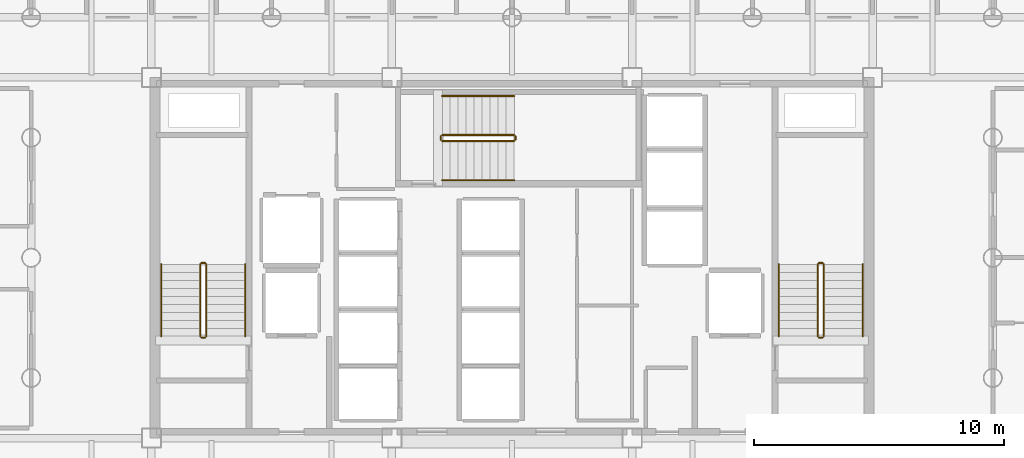
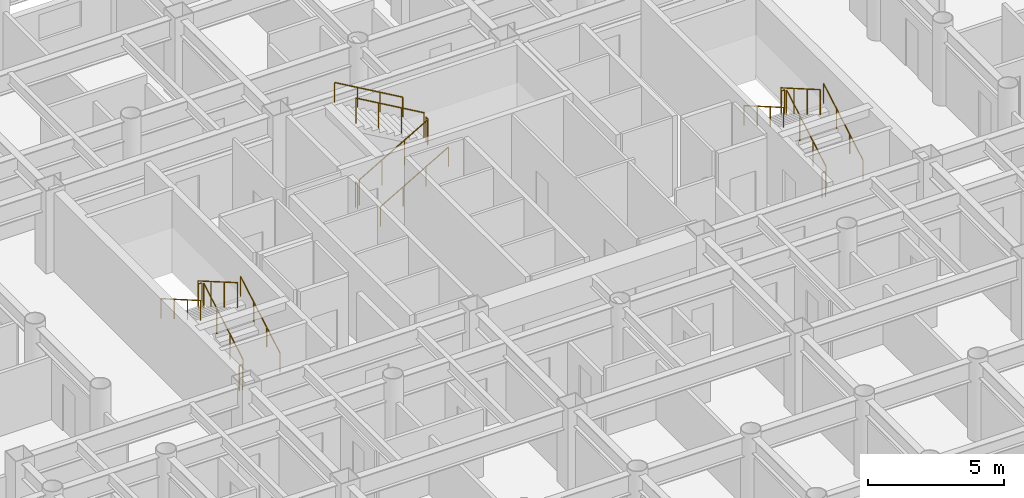
# One storey, part 22 of 22: 18 railings.
"""IFC4 building model written with IfcOpenShell, lengths in metres."""

from ifc_helpers import new_model, si_unit, direction, frame, origin, origin_2d, place, context, subcontext, project, spatial, circle, extrude, material, layer, layer_set, type_object, element, save


model = new_model("IFC4")

# Units and contexts
model_context = context("Model", 3, precision=1e-05, world=origin(), true_north=direction((0.0, 1.0)))
body_context = subcontext(model_context, "Body", "Model", "MODEL_VIEW")
ifc_project = project(units=[si_unit("LENGTHUNIT", "METRE"), si_unit("AREAUNIT", "SQUARE_METRE"), si_unit("VOLUMEUNIT", "CUBIC_METRE"), si_unit("PLANEANGLEUNIT", "RADIAN"), si_unit("MASSUNIT", "GRAM", prefix="KILO")], contexts=[model_context])

# Site, building, storey
site_placement = place(None, origin())
site = spatial("IfcSite", under=ifc_project, at=site_placement, CompositionType="ELEMENT")
building_placement = place(site_placement, origin())
building = spatial("IfcBuilding", under=site, at=building_placement, Name="Kallvorn Hotel Tower", CompositionType="ELEMENT")
storey_placement = place(building_placement, frame((0.0, 0.0, 33.699951171875)))
storey = spatial("IfcBuildingStorey", under=building, at=storey_placement, Name="L06", CompositionType="ELEMENT", Elevation=33.699951171875)

# Railings
ifc_material_1 = material(Name="Brushed stainless-steel tubular railing", Category="steel")
ifc_layer_1 = layer(ifc_material_1, 0.050048828125)
ifc_layer_set_1 = layer_set([ifc_layer_1], Name="RL_STAIR_GUARD")
railing_type_1 = type_object("IfcRailingType", Name="RL_STAIR_GUARD", PredefinedType="GUARDRAIL", material=ifc_layer_set_1)
railing_1_placement = place(storey_placement, frame((-12.2099609375, -3.139892578125, 0.18505859375)))
element("IfcRailing", 1, at=railing_1_placement, inside=storey, type_object=railing_type_1, Name="L06 ST1 stair guard 1", PredefinedType="GUARDRAIL", context=body_context, shape_type="SweptSolid", body=[
    extrude(circle(Radius=0.02392578125, at=origin_2d()), frame((0.0, 0.0, 1.1259765625), z_axis=(0.0, 0.865720918037, 0.500527014328), x_axis=(-1.0, 0.0, 0.0)), (0.0, 0.0, 1.0), 3.32666015625),
    extrude(circle(Radius=0.02099609375, at=origin_2d()), origin(), (0.0, 0.0, 1.0), 1.101806640625),
    extrude(circle(Radius=0.02099609375, at=origin_2d()), frame((0.0, 0.9599609375, 0.554931640625)), (0.0, 0.0, 1.0), 1.101806640625),
    extrude(circle(Radius=0.02099609375, at=origin_2d()), frame((0.0, 1.919921875, 1.110107421875)), (0.0, 0.0, 1.0), 1.101806640625),
    extrude(circle(Radius=0.02099609375, at=origin_2d()), frame((0.0, 2.8798828125, 1.6650390625)), (0.0, 0.0, 1.0), 1.101806640625),
])
railing_2_placement = place(storey_placement, frame((-12.260009765625, -0.2099609375, 1.85009765625)))
element("IfcRailing", 2, at=railing_2_placement, inside=storey, type_object=railing_type_1, Name="L06 ST1 stair guard 2", PredefinedType="GUARDRAIL", context=body_context, shape_type="SweptSolid", body=[
    extrude(circle(Radius=0.02392578125, at=origin_2d()), frame((0.0, 0.0, 1.1259765625), z_axis=(-1.0, 0.0, 0.0), x_axis=(0.0, -1.0, 0.0)), (0.0, 0.0, 1.0), 0.139892578125),
    extrude(circle(Radius=0.02099609375, at=origin_2d()), origin(), (0.0, 0.0, 1.0), 1.101806640625),
    extrude(circle(Radius=0.02099609375, at=origin_2d()), frame((-0.139892578125, 0.0, 0.0)), (0.0, 0.0, 1.0), 1.101806640625),
])
railing_3_placement = place(storey_placement, frame((-12.449951171875, -0.260009765625, 2.03515625)))
element("IfcRailing", 3, at=railing_3_placement, inside=storey, type_object=railing_type_1, Name="L06 ST1 stair guard 3", PredefinedType="GUARDRAIL", context=body_context, shape_type="SweptSolid", body=[
    extrude(circle(Radius=0.02392578125, at=origin_2d()), frame((0.0, 0.0, 1.1259765625), z_axis=(0.0, -0.86575271903, 0.500472006703), x_axis=(1.0, 0.0, 0.0)), (0.0, 0.0, 1.0), 3.326416015625),
    extrude(circle(Radius=0.02099609375, at=origin_2d()), origin(), (0.0, 0.0, 1.0), 1.101806640625),
    extrude(circle(Radius=0.02099609375, at=origin_2d()), frame((0.0, -0.9599609375, 0.554931640625)), (0.0, 0.0, 1.0), 1.101806640625),
    extrude(circle(Radius=0.02099609375, at=origin_2d()), frame((0.0, -1.919921875, 1.10986328125)), (0.0, 0.0, 1.0), 1.101806640625),
    extrude(circle(Radius=0.02099609375, at=origin_2d()), frame((0.0, -2.8798828125, 1.664794921875)), (0.0, 0.0, 1.0), 1.101806640625),
])
railing_4_placement = place(storey_placement, frame((-12.260009765625, -3.18994140625, 0.0)))
element("IfcRailing", 4, at=railing_4_placement, inside=storey, type_object=railing_type_1, Name="L06 ST1 stair guard 4", PredefinedType="GUARDRAIL", context=body_context, shape_type="SweptSolid", body=[
    extrude(circle(Radius=0.02392578125, at=origin_2d()), frame((0.0, 0.0, 1.1259765625), z_axis=(-1.0, 0.0, 0.0), x_axis=(0.0, -1.0, 0.0)), (0.0, 0.0, 1.0), 0.139892578125),
    extrude(circle(Radius=0.02099609375, at=origin_2d()), origin(), (0.0, 0.0, 1.0), 1.101806640625),
    extrude(circle(Radius=0.02099609375, at=origin_2d()), frame((-0.139892578125, 0.0, 0.0)), (0.0, 0.0, 1.0), 1.101806640625),
])
railing_5_placement = place(storey_placement, frame((12.449951171875, -3.139892578125, 0.18505859375)))
element("IfcRailing", 5, at=railing_5_placement, inside=storey, type_object=railing_type_1, Name="L06 ST2 stair guard 1", PredefinedType="GUARDRAIL", context=body_context, shape_type="SweptSolid", body=[
    extrude(circle(Radius=0.02392578125, at=origin_2d()), frame((0.0, 0.0, 1.1259765625), z_axis=(0.0, 0.865720918037, 0.500527014328), x_axis=(-1.0, 0.0, 0.0)), (0.0, 0.0, 1.0), 3.32666015625),
    extrude(circle(Radius=0.02099609375, at=origin_2d()), origin(), (0.0, 0.0, 1.0), 1.101806640625),
    extrude(circle(Radius=0.02099609375, at=origin_2d()), frame((0.0, 0.9599609375, 0.554931640625)), (0.0, 0.0, 1.0), 1.101806640625),
    extrude(circle(Radius=0.02099609375, at=origin_2d()), frame((0.0, 1.919921875, 1.110107421875)), (0.0, 0.0, 1.0), 1.101806640625),
    extrude(circle(Radius=0.02099609375, at=origin_2d()), frame((0.0, 2.8798828125, 1.6650390625)), (0.0, 0.0, 1.0), 1.101806640625),
])
railing_6_placement = place(storey_placement, frame((12.39990234375, -0.2099609375, 1.85009765625)))
element("IfcRailing", 6, at=railing_6_placement, inside=storey, type_object=railing_type_1, Name="L06 ST2 stair guard 2", PredefinedType="GUARDRAIL", context=body_context, shape_type="SweptSolid", body=[
    extrude(circle(Radius=0.02392578125, at=origin_2d()), frame((0.0, 0.0, 1.1259765625), z_axis=(-1.0, 0.0, 0.0), x_axis=(0.0, -1.0, 0.0)), (0.0, 0.0, 1.0), 0.139892578125),
    extrude(circle(Radius=0.02099609375, at=origin_2d()), origin(), (0.0, 0.0, 1.0), 1.101806640625),
    extrude(circle(Radius=0.02099609375, at=origin_2d()), frame((-0.139892578125, 0.0, 0.0)), (0.0, 0.0, 1.0), 1.101806640625),
])
railing_7_placement = place(storey_placement, frame((12.2099609375, -0.260009765625, 2.03515625)))
element("IfcRailing", 7, at=railing_7_placement, inside=storey, type_object=railing_type_1, Name="L06 ST2 stair guard 3", PredefinedType="GUARDRAIL", context=body_context, shape_type="SweptSolid", body=[
    extrude(circle(Radius=0.02392578125, at=origin_2d()), frame((0.0, 0.0, 1.1259765625), z_axis=(0.0, -0.86575271903, 0.500472006703), x_axis=(1.0, 0.0, 0.0)), (0.0, 0.0, 1.0), 3.326416015625),
    extrude(circle(Radius=0.02099609375, at=origin_2d()), origin(), (0.0, 0.0, 1.0), 1.101806640625),
    extrude(circle(Radius=0.02099609375, at=origin_2d()), frame((0.0, -0.9599609375, 0.554931640625)), (0.0, 0.0, 1.0), 1.101806640625),
    extrude(circle(Radius=0.02099609375, at=origin_2d()), frame((0.0, -1.919921875, 1.10986328125)), (0.0, 0.0, 1.0), 1.101806640625),
    extrude(circle(Radius=0.02099609375, at=origin_2d()), frame((0.0, -2.8798828125, 1.664794921875)), (0.0, 0.0, 1.0), 1.101806640625),
])
railing_8_placement = place(storey_placement, frame((12.39990234375, -3.18994140625, 0.0)))
element("IfcRailing", 8, at=railing_8_placement, inside=storey, type_object=railing_type_1, Name="L06 ST2 stair guard 4", PredefinedType="GUARDRAIL", context=body_context, shape_type="SweptSolid", body=[
    extrude(circle(Radius=0.02392578125, at=origin_2d()), frame((0.0, 0.0, 1.1259765625), z_axis=(-1.0, 0.0, 0.0), x_axis=(0.0, -1.0, 0.0)), (0.0, 0.0, 1.0), 0.139892578125),
    extrude(circle(Radius=0.02099609375, at=origin_2d()), origin(), (0.0, 0.0, 1.0), 1.101806640625),
    extrude(circle(Radius=0.02099609375, at=origin_2d()), frame((-0.139892578125, 0.0, 0.0)), (0.0, 0.0, 1.0), 1.101806640625),
])
railing_9_placement = place(storey_placement, frame((-2.7900390625, 4.659912109375, 0.18505859375)))
element("IfcRailing", 9, at=railing_9_placement, inside=storey, type_object=railing_type_1, Name="L06 ST3 stair guard 1", PredefinedType="GUARDRAIL", context=body_context, shape_type="SweptSolid", body=[
    extrude(circle(Radius=0.02392578125, at=origin_2d()), frame((0.0, 0.0, 1.1259765625), z_axis=(0.865739302748, 0.0, 0.50049521444), x_axis=(0.0, 1.0, 0.0)), (0.0, 0.0, 1.0), 3.326904296875),
    extrude(circle(Radius=0.02099609375, at=origin_2d()), origin(), (0.0, 0.0, 1.0), 1.101806640625),
    extrude(circle(Radius=0.02099609375, at=origin_2d()), frame((0.9599609375, 0.0, 0.554931640625)), (0.0, 0.0, 1.0), 1.101806640625),
    extrude(circle(Radius=0.02099609375, at=origin_2d()), frame((1.920166015625, 0.0, 1.110107421875)), (0.0, 0.0, 1.0), 1.101806640625),
    extrude(circle(Radius=0.02099609375, at=origin_2d()), frame((2.880126953125, 0.0, 1.6650390625)), (0.0, 0.0, 1.0), 1.101806640625),
])
railing_10_placement = place(storey_placement, frame((0.139892578125, 4.7099609375, 1.85009765625)))
element("IfcRailing", 10, at=railing_10_placement, inside=storey, type_object=railing_type_1, Name="L06 ST3 stair guard 2", PredefinedType="GUARDRAIL", context=body_context, shape_type="SweptSolid", body=[
    extrude(circle(Radius=0.02392578125, at=origin_2d()), frame((0.0, 0.0, 1.1259765625), z_axis=(0.0, 1.0, 0.0), x_axis=(-1.0, 0.0, 0.0)), (0.0, 0.0, 1.0), 0.14013671875),
    extrude(circle(Radius=0.02099609375, at=origin_2d()), origin(), (0.0, 0.0, 1.0), 1.101806640625),
    extrude(circle(Radius=0.02099609375, at=origin_2d()), frame((0.0, 0.14013671875, 0.0)), (0.0, 0.0, 1.0), 1.101806640625),
])
railing_11_placement = place(storey_placement, frame((0.090087890625, 4.89990234375, 2.03515625)))
element("IfcRailing", 11, at=railing_11_placement, inside=storey, type_object=railing_type_1, Name="L06 ST3 stair guard 3", PredefinedType="GUARDRAIL", context=body_context, shape_type="SweptSolid", body=[
    extrude(circle(Radius=0.02392578125, at=origin_2d()), frame((0.0, 0.0, 1.1259765625), z_axis=(-0.865771100375, 0.0, 0.500440207973), x_axis=(0.0, -1.0, 0.0)), (0.0, 0.0, 1.0), 3.32666015625),
    extrude(circle(Radius=0.02099609375, at=origin_2d()), origin(), (0.0, 0.0, 1.0), 1.101806640625),
    extrude(circle(Radius=0.02099609375, at=origin_2d()), frame((-0.9599609375, 0.0, 0.554931640625)), (0.0, 0.0, 1.0), 1.101806640625),
    extrude(circle(Radius=0.02099609375, at=origin_2d()), frame((-1.920166015625, 0.0, 1.10986328125)), (0.0, 0.0, 1.0), 1.101806640625),
    extrude(circle(Radius=0.02099609375, at=origin_2d()), frame((-2.880126953125, 0.0, 1.664794921875)), (0.0, 0.0, 1.0), 1.101806640625),
])
railing_12_placement = place(storey_placement, frame((-2.840087890625, 4.7099609375, 0.0)))
element("IfcRailing", 12, at=railing_12_placement, inside=storey, type_object=railing_type_1, Name="L06 ST3 stair guard 4", PredefinedType="GUARDRAIL", context=body_context, shape_type="SweptSolid", body=[
    extrude(circle(Radius=0.02392578125, at=origin_2d()), frame((0.0, 0.0, 1.1259765625), z_axis=(0.0, 1.0, 0.0), x_axis=(-1.0, 0.0, 0.0)), (0.0, 0.0, 1.0), 0.14013671875),
    extrude(circle(Radius=0.02099609375, at=origin_2d()), origin(), (0.0, 0.0, 1.0), 1.101806640625),
    extrude(circle(Radius=0.02099609375, at=origin_2d()), frame((0.0, 0.14013671875, 0.0)), (0.0, 0.0, 1.0), 1.101806640625),
])
ifc_material_2 = material(Name="Brushed stainless-steel tubular railing", Category="steel")
ifc_layer_2 = layer(ifc_material_2, 0.050048828125)
ifc_layer_set_2 = layer_set([ifc_layer_2], Name="RL_STAIR_HAND")
railing_type_2 = type_object("IfcRailingType", Name="RL_STAIR_HAND", PredefinedType="HANDRAIL", material=ifc_layer_set_2)
railing_13_placement = place(storey_placement, frame((-10.64990234375, -3.139892578125, 0.18505859375)))
element("IfcRailing", 13, at=railing_13_placement, inside=storey, type_object=railing_type_2, Name="L06 ST1 stair handrail 1", PredefinedType="HANDRAIL", context=body_context, shape_type="SweptSolid", body=[
    extrude(circle(Radius=0.02392578125, at=origin_2d()), frame((0.0, 0.0, 0.8759765625), z_axis=(0.0, 0.865720918037, 0.500527014328), x_axis=(-1.0, 0.0, 0.0)), (0.0, 0.0, 1.0), 3.32666015625),
    extrude(circle(Radius=0.02099609375, at=origin_2d()), origin(), (0.0, 0.0, 1.0), 0.851806640625),
    extrude(circle(Radius=0.02099609375, at=origin_2d()), frame((0.0, 0.9599609375, 0.554931640625)), (0.0, 0.0, 1.0), 0.851806640625),
    extrude(circle(Radius=0.02099609375, at=origin_2d()), frame((0.0, 1.919921875, 1.110107421875)), (0.0, 0.0, 1.0), 0.851806640625),
    extrude(circle(Radius=0.02099609375, at=origin_2d()), frame((0.0, 2.8798828125, 1.6650390625)), (0.0, 0.0, 1.0), 0.851806640625),
])
railing_14_placement = place(storey_placement, frame((-14.010009765625, -0.260009765625, 2.03515625)))
element("IfcRailing", 14, at=railing_14_placement, inside=storey, type_object=railing_type_2, Name="L06 ST1 stair handrail 2", PredefinedType="HANDRAIL", context=body_context, shape_type="SweptSolid", body=[
    extrude(circle(Radius=0.02392578125, at=origin_2d()), frame((0.0, 0.0, 0.8759765625), z_axis=(0.0, -0.86575271903, 0.500472006703), x_axis=(1.0, 0.0, 0.0)), (0.0, 0.0, 1.0), 3.326416015625),
    extrude(circle(Radius=0.02099609375, at=origin_2d()), origin(), (0.0, 0.0, 1.0), 0.851806640625),
    extrude(circle(Radius=0.02099609375, at=origin_2d()), frame((0.0, -0.9599609375, 0.554931640625)), (0.0, 0.0, 1.0), 0.851806640625),
    extrude(circle(Radius=0.02099609375, at=origin_2d()), frame((0.0, -1.919921875, 1.10986328125)), (0.0, 0.0, 1.0), 0.851806640625),
    extrude(circle(Radius=0.02099609375, at=origin_2d()), frame((0.0, -2.8798828125, 1.664794921875)), (0.0, 0.0, 1.0), 0.851806640625),
])
railing_15_placement = place(storey_placement, frame((14.010009765625, -3.139892578125, 0.18505859375)))
element("IfcRailing", 15, at=railing_15_placement, inside=storey, type_object=railing_type_2, Name="L06 ST2 stair handrail 1", PredefinedType="HANDRAIL", context=body_context, shape_type="SweptSolid", body=[
    extrude(circle(Radius=0.02392578125, at=origin_2d()), frame((0.0, 0.0, 0.8759765625), z_axis=(0.0, 0.865720918037, 0.500527014328), x_axis=(-1.0, 0.0, 0.0)), (0.0, 0.0, 1.0), 3.32666015625),
    extrude(circle(Radius=0.02099609375, at=origin_2d()), origin(), (0.0, 0.0, 1.0), 0.851806640625),
    extrude(circle(Radius=0.02099609375, at=origin_2d()), frame((0.0, 0.9599609375, 0.554931640625)), (0.0, 0.0, 1.0), 0.851806640625),
    extrude(circle(Radius=0.02099609375, at=origin_2d()), frame((0.0, 1.919921875, 1.110107421875)), (0.0, 0.0, 1.0), 0.851806640625),
    extrude(circle(Radius=0.02099609375, at=origin_2d()), frame((0.0, 2.8798828125, 1.6650390625)), (0.0, 0.0, 1.0), 0.851806640625),
])
railing_16_placement = place(storey_placement, frame((10.64990234375, -0.260009765625, 2.03515625)))
element("IfcRailing", 16, at=railing_16_placement, inside=storey, type_object=railing_type_2, Name="L06 ST2 stair handrail 2", PredefinedType="HANDRAIL", context=body_context, shape_type="SweptSolid", body=[
    extrude(circle(Radius=0.02392578125, at=origin_2d()), frame((0.0, 0.0, 0.8759765625), z_axis=(0.0, -0.86575271903, 0.500472006703), x_axis=(1.0, 0.0, 0.0)), (0.0, 0.0, 1.0), 3.326416015625),
    extrude(circle(Radius=0.02099609375, at=origin_2d()), origin(), (0.0, 0.0, 1.0), 0.851806640625),
    extrude(circle(Radius=0.02099609375, at=origin_2d()), frame((0.0, -0.9599609375, 0.554931640625)), (0.0, 0.0, 1.0), 0.851806640625),
    extrude(circle(Radius=0.02099609375, at=origin_2d()), frame((0.0, -1.919921875, 1.10986328125)), (0.0, 0.0, 1.0), 0.851806640625),
    extrude(circle(Radius=0.02099609375, at=origin_2d()), frame((0.0, -2.8798828125, 1.664794921875)), (0.0, 0.0, 1.0), 0.851806640625),
])
railing_17_placement = place(storey_placement, frame((-2.7900390625, 3.10009765625, 0.18505859375)))
element("IfcRailing", 17, at=railing_17_placement, inside=storey, type_object=railing_type_2, Name="L06 ST3 stair handrail 1", PredefinedType="HANDRAIL", context=body_context, shape_type="SweptSolid", body=[
    extrude(circle(Radius=0.02392578125, at=origin_2d()), frame((0.0, 0.0, 0.8759765625), z_axis=(0.865739302748, 0.0, 0.50049521444), x_axis=(0.0, 1.0, 0.0)), (0.0, 0.0, 1.0), 3.326904296875),
    extrude(circle(Radius=0.02099609375, at=origin_2d()), origin(), (0.0, 0.0, 1.0), 0.851806640625),
    extrude(circle(Radius=0.02099609375, at=origin_2d()), frame((0.9599609375, 0.0, 0.554931640625)), (0.0, 0.0, 1.0), 0.851806640625),
    extrude(circle(Radius=0.02099609375, at=origin_2d()), frame((1.920166015625, 0.0, 1.110107421875)), (0.0, 0.0, 1.0), 0.851806640625),
    extrude(circle(Radius=0.02099609375, at=origin_2d()), frame((2.880126953125, 0.0, 1.6650390625)), (0.0, 0.0, 1.0), 0.851806640625),
])
railing_18_placement = place(storey_placement, frame((0.090087890625, 6.4599609375, 2.03515625)))
element("IfcRailing", 18, at=railing_18_placement, inside=storey, type_object=railing_type_2, Name="L06 ST3 stair handrail 2", PredefinedType="HANDRAIL", context=body_context, shape_type="SweptSolid", body=[
    extrude(circle(Radius=0.02392578125, at=origin_2d()), frame((0.0, 0.0, 0.8759765625), z_axis=(-0.865771100375, 0.0, 0.500440207973), x_axis=(0.0, -1.0, 0.0)), (0.0, 0.0, 1.0), 3.32666015625),
    extrude(circle(Radius=0.02099609375, at=origin_2d()), origin(), (0.0, 0.0, 1.0), 0.851806640625),
    extrude(circle(Radius=0.02099609375, at=origin_2d()), frame((-0.9599609375, 0.0, 0.554931640625)), (0.0, 0.0, 1.0), 0.851806640625),
    extrude(circle(Radius=0.02099609375, at=origin_2d()), frame((-1.920166015625, 0.0, 1.10986328125)), (0.0, 0.0, 1.0), 0.851806640625),
    extrude(circle(Radius=0.02099609375, at=origin_2d()), frame((-2.880126953125, 0.0, 1.664794921875)), (0.0, 0.0, 1.0), 0.851806640625),
])

save(model, "model.ifc")
